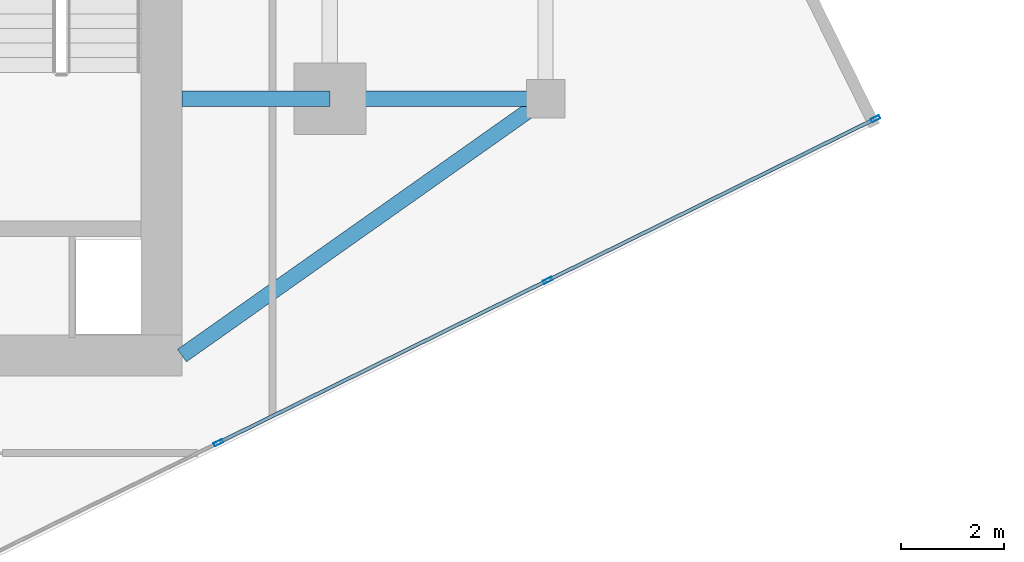
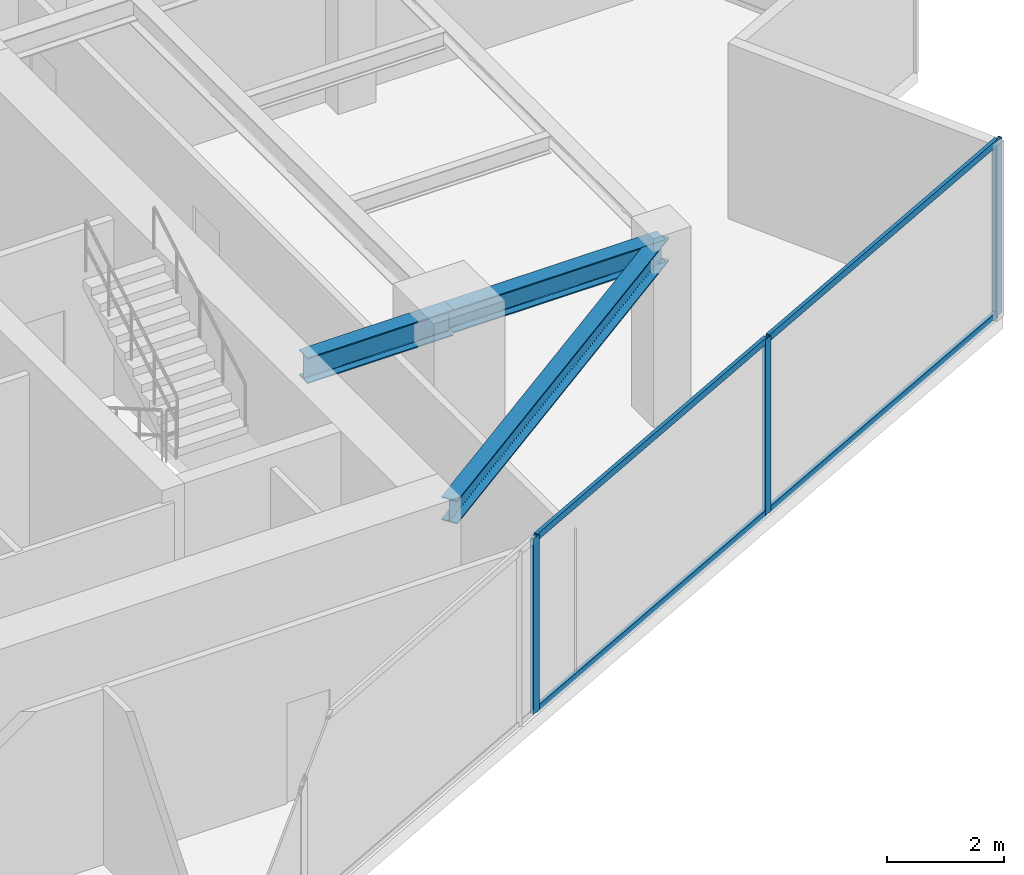
# One storey, part 8 of 22: 7 members, 3 beams, 1 element without a shape of its own.
"""IFC4 building model written with IfcOpenShell, lengths in metres."""

from ifc_helpers import new_model, si_unit, direction, frame, origin, origin_2d, place, context, subcontext, project, spatial, hollow_rectangle, i_section, extrude, source, transform, mapped, material, material_profile, profile_set, type_object, type_shapes, element, aggregate, save


model = new_model("IFC4")

# Units and contexts
model_context = context("Model", 3, precision=1e-05, world=origin(), true_north=direction((0.0, 1.0)))
body_context = subcontext(model_context, "Body", "Model", "MODEL_VIEW")
ifc_project = project(units=[si_unit("LENGTHUNIT", "METRE"), si_unit("AREAUNIT", "SQUARE_METRE"), si_unit("VOLUMEUNIT", "CUBIC_METRE"), si_unit("PLANEANGLEUNIT", "RADIAN"), si_unit("MASSUNIT", "GRAM", prefix="KILO")], contexts=[model_context])

# Site, building, storey
site_placement = place(None, origin())
site = spatial("IfcSite", under=ifc_project, at=site_placement, CompositionType="ELEMENT")
building_placement = place(site_placement, origin())
building = spatial("IfcBuilding", under=site, at=building_placement, Name="Krantzveldt Concourse Tower", CompositionType="ELEMENT")
storey_placement = place(building_placement, frame((0.0, 0.0, 310.85009765625)))
storey = spatial("IfcBuildingStorey", under=building, at=storey_placement, Name="L76", CompositionType="ELEMENT", Elevation=310.85009765625)

# Beams
ifc_material_1 = material(Name="Steel S355JR", Category="steel")
ifc_material_profile_1 = material_profile(ifc_material_1, i_section(OverallWidth=0.300048828125, OverallDepth=0.489990234375, WebThickness=0.011962890625, FlangeThickness=0.02294921875, FilletRadius=0.027099609375, at=origin_2d()), Name="Steel S355JR", Category="steel")
ifc_profile_set_1 = profile_set([ifc_material_profile_1], Name="Steel S355JR - HEA 500")
beam_type_1 = type_object("IfcBeamType", Name="BM-B-HEA500", PredefinedType="BEAM", material=ifc_profile_set_1)
shared_shape_1 = source(origin(), body_context, "Body", "SweptSolid", [
    extrude(i_section(OverallWidth=0.300048828125, OverallDepth=0.489990234375, WebThickness=0.011962890625, FlangeThickness=0.02294921875, FilletRadius=0.027099609375, at=origin_2d()), origin(), (0.0, 0.0, 1.0), 4.199951171875),
])
beam_1_placement = place(storey_placement, frame((46.800048828125, 15.89990234375, 3.4248046875), z_axis=(1.0, 0.0, 0.0), x_axis=(0.0, 1.0, 0.0)))
element("IfcBeam", 1, at=beam_1_placement, inside=storey, type_object=beam_type_1, Name="L76 Tower Girder BR-RR1", PredefinedType="BEAM", context=body_context, shape_type="MappedRepresentation", body=[
    mapped(shared_shape_1, transform((0.0, 0.0, 0.0), x_axis=(1.0, 0.0, 0.0), y_axis=(0.0, 1.0, 0.0), z_axis=(0.0, 0.0, 1.0), scale=1.0)),
])
shared_shape_2 = source(origin(), body_context, "Body", "SweptSolid", [
    extrude(i_section(OverallWidth=0.300048828125, OverallDepth=0.489990234375, WebThickness=0.011962890625, FlangeThickness=0.02294921875, FilletRadius=0.027099609375, at=origin_2d()), origin(), (0.0, 0.0, 1.0), 8.667724609375),
])
type_shapes(beam_type_1, [shared_shape_1, shared_shape_2])
beam_2_placement = place(storey_placement, frame((51.0, 15.89990234375, 3.4248046875), z_axis=(-0.81684294656, -0.576860122261, 0.0), x_axis=(0.576860122261, -0.81684294656, 0.0)))
element("IfcBeam", 2, at=beam_2_placement, inside=storey, type_object=beam_type_1, Name="L76 Tower Girder BR-CSE", PredefinedType="BEAM", context=body_context, shape_type="MappedRepresentation", body=[
    mapped(shared_shape_2, transform((0.0, 0.0, 0.0), x_axis=(1.0, 0.0, 0.0), y_axis=(0.0, 1.0, 0.0), z_axis=(0.0, 0.0, 1.0), scale=1.0)),
])
ifc_material_profile_2 = material_profile(ifc_material_1, i_section(OverallWidth=0.300048828125, OverallDepth=0.5400390625, WebThickness=0.012451171875, FlangeThickness=0.02392578125, FilletRadius=0.027099609375, at=origin_2d()), Name="Steel S355JR", Category="steel")
ifc_profile_set_2 = profile_set([ifc_material_profile_2], Name="Steel S355JR - HEA 550")
beam_type_2 = type_object("IfcBeamType", Name="BM-B-HEA550", PredefinedType="BEAM", material=ifc_profile_set_2)
shared_shape_3 = source(origin(), body_context, "Body", "SweptSolid", [
    extrude(i_section(OverallWidth=0.300048828125, OverallDepth=0.5400390625, WebThickness=0.012451171875, FlangeThickness=0.02392578125, FilletRadius=0.027099609375, at=origin_2d()), origin(), (0.0, 0.0, 1.0), 2.880126953125),
])
type_shapes(beam_type_2, [shared_shape_3])
beam_3_placement = place(storey_placement, frame((43.919921875, 15.89990234375, 3.39990234375), z_axis=(1.0, 0.0, 0.0), x_axis=(0.0, 1.0, 0.0)))
element("IfcBeam", 3, at=beam_3_placement, inside=storey, type_object=beam_type_2, Name="L76 Tower Girder BG-CE1", PredefinedType="BEAM", context=body_context, shape_type="MappedRepresentation", body=[
    mapped(shared_shape_3, transform((0.0, 0.0, 0.0), x_axis=(1.0, 0.0, 0.0), y_axis=(0.0, 1.0, 0.0), z_axis=(0.0, 0.0, 1.0), scale=1.0)),
])

# Curtain wall, members
ifc_material_2 = material(Name="Anodised aluminium 6063-T6", Category="aluminium")
curtain_wall_type = type_object("IfcCurtainWallType", Name="CW4", PredefinedType="USERDEFINED", material=ifc_material_2)
curtain_wall_placement = place(storey_placement, origin())
curtain_wall = element("IfcCurtainWall", 4, at=curtain_wall_placement, inside=storey, type_object=curtain_wall_type, Name="CW-L76-F07", ObjectType="UNITISED CURTAIN WALL", PredefinedType="USERDEFINED")
ifc_material_profile_3 = material_profile(ifc_material_2, hollow_rectangle(XDim=0.070068359375, YDim=0.179931640625, WallThickness=0.0048828125, at=origin_2d()), Name="Anodised aluminium 6063-T6", Category="aluminium")
ifc_profile_set_3 = profile_set([ifc_material_profile_3], Name="Anodised aluminium 6063-T6 - ALU-MULL 180x70x5")
member_type_1 = type_object("IfcMemberType", Name="CW-MUL-180", PredefinedType="MULLION", material=ifc_profile_set_3)
shared_shape_4 = source(origin(), body_context, "Body", "SweptSolid", [
    extrude(hollow_rectangle(XDim=0.070068359375, YDim=0.179931640625, WallThickness=0.0048828125, at=origin_2d()), origin(), (0.0, 0.0, 1.0), 3.669921875),
])
type_shapes(member_type_1, [shared_shape_4])
member_1_placement = place(storey_placement, frame((44.629150390625, 9.201904296875, 0.0), z_axis=(0.0, 0.0, 1.0), x_axis=(-0.442288511927, 0.896872829457, 0.0)))
member_1 = element("IfcMember", 5, at=member_1_placement, type_object=member_type_1, Name="CW-Z56 mullion 3", PredefinedType="MULLION", context=body_context, shape_type="MappedRepresentation", body=[
    mapped(shared_shape_4, transform((0.0, 0.0, 0.0), x_axis=(1.0, 0.0, 0.0), y_axis=(0.0, 1.0, 0.0), z_axis=(0.0, 0.0, 1.0), scale=1.0)),
])
member_2_placement = place(storey_placement, frame((51.041748046875, 12.3642578125, 0.0), z_axis=(0.0, 0.0, 1.0), x_axis=(-0.442288511927, 0.896872829457, 0.0)))
member_2 = element("IfcMember", 6, at=member_2_placement, type_object=member_type_1, Name="CW-Z56 mullion 4", PredefinedType="MULLION", context=body_context, shape_type="MappedRepresentation", body=[
    mapped(shared_shape_4, transform((0.0, 0.0, 0.0), x_axis=(1.0, 0.0, 0.0), y_axis=(0.0, 1.0, 0.0), z_axis=(0.0, 0.0, 1.0), scale=1.0)),
])
member_3_placement = place(storey_placement, frame((57.4228515625, 15.51123046875, 0.0), z_axis=(0.0, 0.0, 1.0), x_axis=(-0.442288511927, 0.896872829457, 0.0)))
member_3 = element("IfcMember", 7, at=member_3_placement, type_object=member_type_1, Name="CW-Z56 mullion 5", PredefinedType="MULLION", context=body_context, shape_type="MappedRepresentation", body=[
    mapped(shared_shape_4, transform((0.0, 0.0, 0.0), x_axis=(1.0, 0.0, 0.0), y_axis=(0.0, 1.0, 0.0), z_axis=(0.0, 0.0, 1.0), scale=1.0)),
])
ifc_material_profile_4 = material_profile(ifc_material_2, hollow_rectangle(XDim=0.070068359375, YDim=0.139892578125, WallThickness=0.0048828125, at=origin_2d()), Name="Anodised aluminium 6063-T6", Category="aluminium")
ifc_profile_set_4 = profile_set([ifc_material_profile_4], Name="Anodised aluminium 6063-T6 - ALU-TRAN 140x70x5")
member_type_2 = type_object("IfcMemberType", Name="CW-TRN-150", PredefinedType="USERDEFINED", material=ifc_profile_set_4)
shared_shape_5 = source(origin(), body_context, "Body", "SweptSolid", [
    extrude(hollow_rectangle(XDim=0.070068359375, YDim=0.139892578125, WallThickness=0.0048828125, at=origin_2d()), origin(), (0.0, 0.0, 1.0), 7.080078125),
])
member_4_placement = place(storey_placement, frame((44.660400390625, 9.217529296875, 0.034912109375), z_axis=(0.896875742426, 0.442282604958, 0.0), x_axis=(-0.442282604958, 0.896875742426, 0.0)))
member_4 = element("IfcMember", 8, at=member_4_placement, type_object=member_type_2, Name="CW-Z56 transom 3.1", ObjectType="TRANSOM", PredefinedType="USERDEFINED", context=body_context, shape_type="MappedRepresentation", body=[
    mapped(shared_shape_5, transform((0.0, 0.0, 0.0), x_axis=(1.0, 0.0, 0.0), y_axis=(0.0, 1.0, 0.0), z_axis=(0.0, 0.0, 1.0), scale=1.0)),
])
member_5_placement = place(storey_placement, frame((44.660400390625, 9.217529296875, 3.635009765625), z_axis=(0.896875742426, 0.442282604958, 0.0), x_axis=(-0.442282604958, 0.896875742426, 0.0)))
member_5 = element("IfcMember", 9, at=member_5_placement, type_object=member_type_2, Name="CW-Z56 transom 3.2", ObjectType="TRANSOM", PredefinedType="USERDEFINED", context=body_context, shape_type="MappedRepresentation", body=[
    mapped(shared_shape_5, transform((0.0, 0.0, 0.0), x_axis=(1.0, 0.0, 0.0), y_axis=(0.0, 1.0, 0.0), z_axis=(0.0, 0.0, 1.0), scale=1.0)),
])
shared_shape_6 = source(origin(), body_context, "Body", "SweptSolid", [
    extrude(hollow_rectangle(XDim=0.070068359375, YDim=0.139892578125, WallThickness=0.0048828125, at=origin_2d()), origin(), (0.0, 0.0, 1.0), 7.045166015625),
])
type_shapes(member_type_2, [shared_shape_5, shared_shape_6])
member_6_placement = place(storey_placement, frame((51.072998046875, 12.3798828125, 0.034912109375), z_axis=(0.896874071777, 0.44228599274, 0.0), x_axis=(-0.44228599274, 0.896874071777, 0.0)))
member_6 = element("IfcMember", 10, at=member_6_placement, type_object=member_type_2, Name="CW-Z56 transom 4.1", ObjectType="TRANSOM", PredefinedType="USERDEFINED", context=body_context, shape_type="MappedRepresentation", body=[
    mapped(shared_shape_6, transform((0.0, 0.0, 0.0), x_axis=(1.0, 0.0, 0.0), y_axis=(0.0, 1.0, 0.0), z_axis=(0.0, 0.0, 1.0), scale=1.0)),
])
member_7_placement = place(storey_placement, frame((51.072998046875, 12.3798828125, 3.635009765625), z_axis=(0.896874071777, 0.44228599274, 0.0), x_axis=(-0.44228599274, 0.896874071777, 0.0)))
member_7 = element("IfcMember", 11, at=member_7_placement, type_object=member_type_2, Name="CW-Z56 transom 4.2", ObjectType="TRANSOM", PredefinedType="USERDEFINED", context=body_context, shape_type="MappedRepresentation", body=[
    mapped(shared_shape_6, transform((0.0, 0.0, 0.0), x_axis=(1.0, 0.0, 0.0), y_axis=(0.0, 1.0, 0.0), z_axis=(0.0, 0.0, 1.0), scale=1.0)),
])
aggregate(curtain_wall, [member_1, member_2, member_3, member_4, member_5, member_6, member_7])

save(model, "model.ifc")
